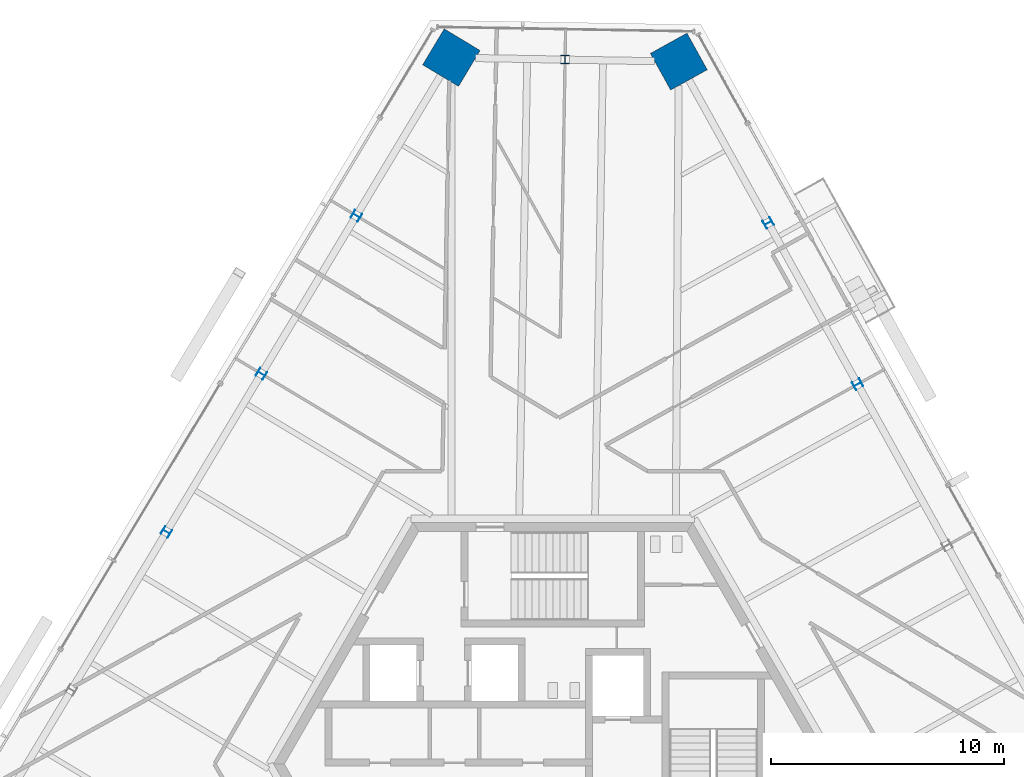
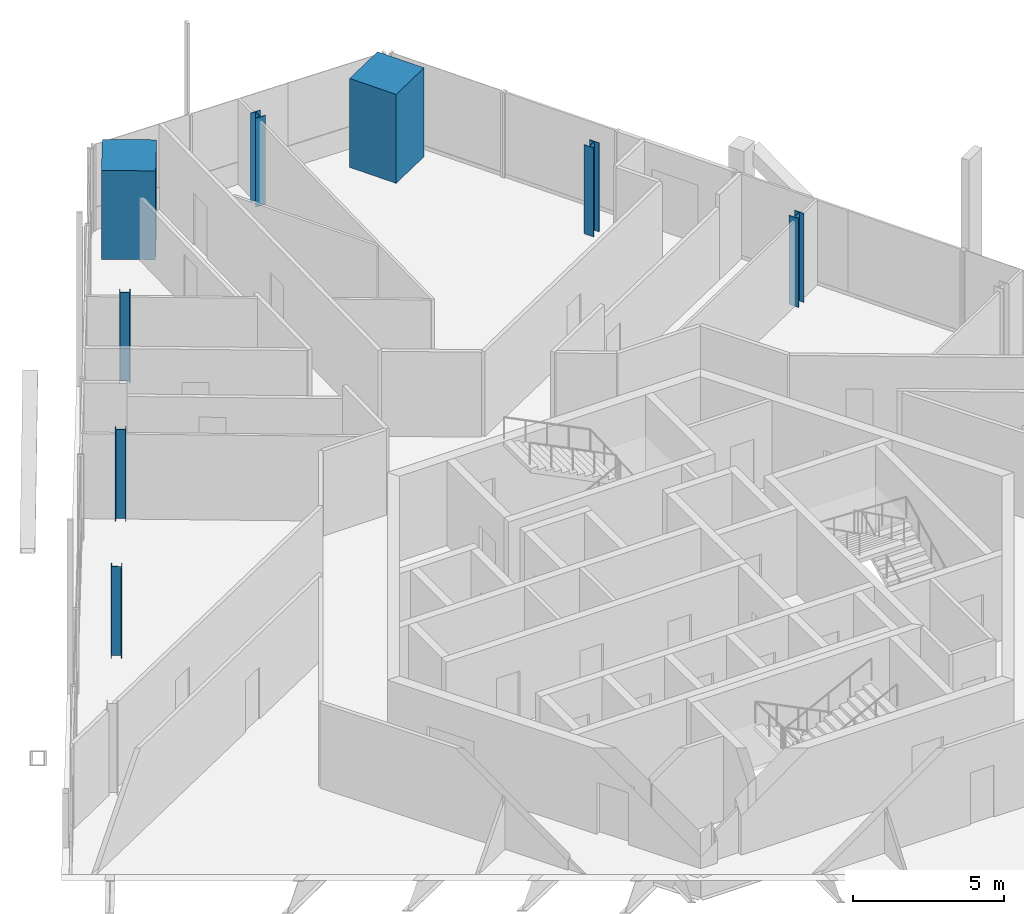
# One storey, part 3 of 21: 8 columns.
"""IFC4 building model written with IfcOpenShell, lengths in metres."""

from ifc_helpers import new_model, si_unit, direction, frame, origin, origin_2d, place, context, subcontext, project, spatial, rectangle, i_section, extrude, source, transform, mapped, material, material_profile, profile_set, type_object, element, save


model = new_model("IFC4")

# Units and contexts
model_context = context("Model", 3, precision=1e-05, world=origin(), true_north=direction((0.0, 1.0)))
body_context = subcontext(model_context, "Body", "Model", "MODEL_VIEW")
ifc_project = project(units=[si_unit("LENGTHUNIT", "METRE"), si_unit("AREAUNIT", "SQUARE_METRE"), si_unit("VOLUMEUNIT", "CUBIC_METRE"), si_unit("PLANEANGLEUNIT", "RADIAN"), si_unit("MASSUNIT", "GRAM", prefix="KILO")], contexts=[model_context])

# Site, building, storey
site_placement = place(None, origin())
site = spatial("IfcSite", under=ifc_project, at=site_placement, CompositionType="ELEMENT")
building_placement = place(site_placement, origin())
building = spatial("IfcBuilding", under=site, at=building_placement, Name="Triune Harvest Tower", CompositionType="ELEMENT")
storey_placement = place(building_placement, frame((0.0, 0.0, 201.5)))
storey = spatial("IfcBuildingStorey", under=building, at=storey_placement, Name="L52", CompositionType="ELEMENT", Elevation=201.5)

# Columns
ifc_material_1 = material(Name="Concrete 70 MPa", Category="concrete")
ifc_material_profile_1 = material_profile(ifc_material_1, rectangle(XDim=1.800048828125, YDim=1.800048828125, at=origin_2d()), Name="Composite 1800x1800")
ifc_profile_set_1 = profile_set([ifc_material_profile_1], Name="Concrete 70 MPa")
column_type_1 = type_object("IfcColumnType", Name="MC-5 Mega column Composite 1800x1800", PredefinedType="COLUMN", material=ifc_profile_set_1)
shared_shape_1 = source(origin(), body_context, "Body", "SweptSolid", [
    extrude(rectangle(XDim=1.800048828125, YDim=1.800048828125, at=origin_2d()), origin(), (0.0, 0.0, 1.0), 3.60009765625),
])
for number, where, z_axis, x_axis, name in (
    (1, (5.416015625, 30.193115234375, 0.0), (0.0, 0.0, 1.0), (-0.484809620246, 0.874619707139, 0.0), "col/L52/M6"),
    (2, (-4.359130859375, 30.36376953125, 0.0), (0.0, 0.0, 1.0), (-0.51503657887, -0.857168199612, 0.0), "col/L52/M8"),
):
    element("IfcColumn", number, at=place(storey_placement, frame(where, z_axis=z_axis, x_axis=x_axis)), inside=storey, type_object=column_type_1, Name=name, PredefinedType="COLUMN", context=body_context, shape_type="MappedRepresentation", body=[
        mapped(shared_shape_1, transform((0.0, 0.0, 0.0), scale=1.0)),
    ])
ifc_material_2 = material(Name="Steel ASTM A992 Gr 50", Category="steel")
ifc_material_profile_2 = material_profile(ifc_material_2, i_section(OverallWidth=0.370849609375, OverallDepth=0.36328125, WebThickness=0.013427734375, FlangeThickness=0.021728515625, at=origin_2d()), Name="W14x109")
ifc_profile_set_2 = profile_set([ifc_material_profile_2], Name="Steel ASTM A992 Gr 50")
column_type_2 = type_object("IfcColumnType", Name="PC-5 Perimeter column W14x109", PredefinedType="COLUMN", material=ifc_profile_set_2)
shared_shape_2 = source(origin(), body_context, "Body", "SweptSolid", [
    extrude(i_section(OverallWidth=0.370849609375, OverallDepth=0.36328125, WebThickness=0.013427734375, FlangeThickness=0.021728515625, at=origin_2d()), origin(), (0.0, 0.0, 1.0), 3.60009765625),
])
for number, where, z_axis, x_axis, name in (
    (3, (13.1025390625, 16.326416015625, 0.0), (0.0, 0.0, 1.0), (-0.484809620246, 0.874619707139, 0.0), "col/L52/P4"),
    (4, (9.25927734375, 23.259765625, 0.0), (0.0, 0.0, 1.0), (-0.484809620246, 0.874619707139, 0.0), "col/L52/P5"),
    (5, (0.528564453125, 30.2783203125, 0.0), (0.0, 0.0, 1.0), (-0.999847725615, 0.017450661374, 0.0), "col/L52/P7"),
    (6, (-8.44189453125, 23.568603515625, 0.0), (0.0, 0.0, 1.0), (-0.51503657887, -0.857168199612, 0.0), "col/L52/P9"),
    (7, (-12.524658203125, 16.773681640625, 0.0), (0.0, 0.0, 1.0), (-0.51503657887, -0.857168199612, 0.0), "col/L52/P10"),
    (8, (-16.607421875, 9.978759765625, 0.0), (0.0, 0.0, 1.0), (-0.51503657887, -0.857168199612, 0.0), "col/L52/P11"),
):
    element("IfcColumn", number, at=place(storey_placement, frame(where, z_axis=z_axis, x_axis=x_axis)), inside=storey, type_object=column_type_2, Name=name, PredefinedType="COLUMN", context=body_context, shape_type="MappedRepresentation", body=[
        mapped(shared_shape_2, transform((0.0, 0.0, 0.0), scale=1.0)),
    ])

save(model, "model.ifc")
